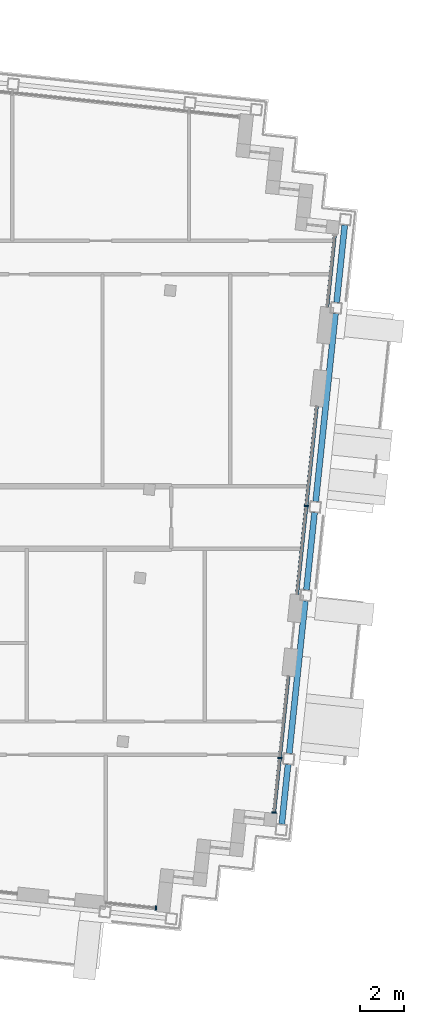
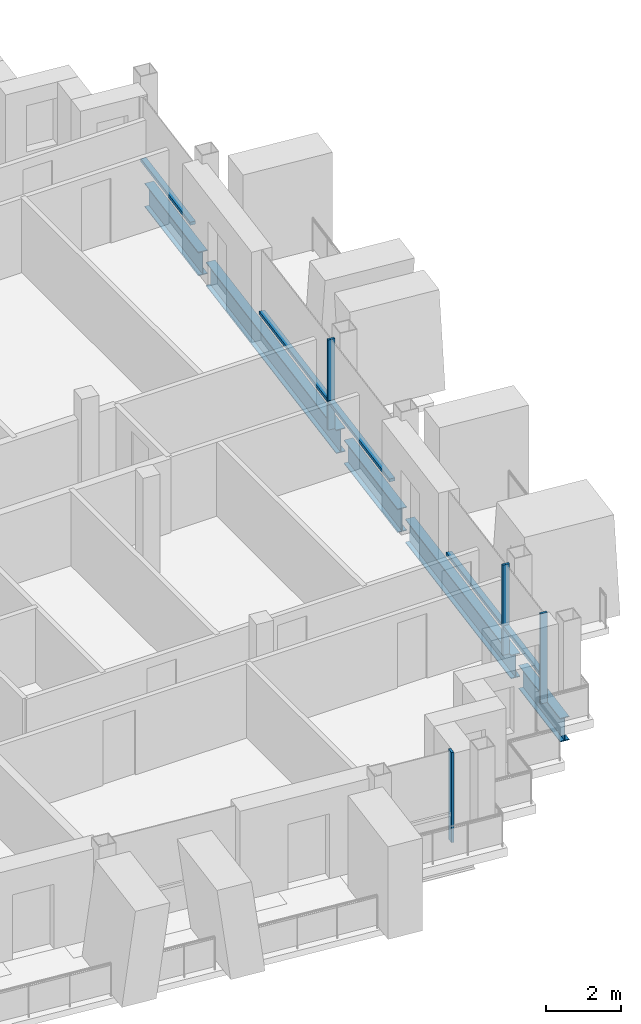
# One storey, part 4 of 16: 9 members, 5 beams, 4 elements without a shape of their own.
"""IFC4 building model written with IfcOpenShell, lengths in metres."""

from ifc_helpers import new_model, si_unit, direction, frame, origin, origin_2d, place, context, subcontext, project, spatial, rectangle, i_section, extrude, material, material_profile, profile_set, type_object, element, aggregate, save


model = new_model("IFC4")

# Units and contexts
model_context = context("Model", 3, precision=1e-05, world=origin(), true_north=direction((0.0, 1.0)))
body_context = subcontext(model_context, "Body", "Model", "MODEL_VIEW")
ifc_project = project(units=[si_unit("LENGTHUNIT", "METRE"), si_unit("AREAUNIT", "SQUARE_METRE"), si_unit("VOLUMEUNIT", "CUBIC_METRE"), si_unit("PLANEANGLEUNIT", "RADIAN"), si_unit("MASSUNIT", "GRAM", prefix="KILO")], contexts=[model_context])

# Site, building, storey
site_placement = place(None, origin())
site = spatial("IfcSite", under=ifc_project, at=site_placement, CompositionType="ELEMENT")
building_placement = place(site_placement, origin())
building = spatial("IfcBuilding", under=site, at=building_placement, Name="Vidyagriha Tower", CompositionType="ELEMENT")
storey_placement = place(building_placement, frame((0.0, 0.0, 256.300048828125)))
storey = spatial("IfcBuildingStorey", under=building, at=storey_placement, Name="L66", CompositionType="ELEMENT", Elevation=256.300048828125)

# Beams
ifc_material_1 = material(Name="Steel ASTM A992 Grade 50", Category="steel")
ifc_material_profile_1 = material_profile(ifc_material_1, i_section(OverallWidth=0.2666015625, OverallDepth=0.76953125, WebThickness=0.015625, FlangeThickness=0.025390625, at=origin_2d()), Name="W30X132")
ifc_profile_set_1 = profile_set([ifc_material_profile_1], Name="Steel ASTM A992 Grade 50")
beam_type = type_object("IfcBeamType", Name="Cantilever edge beam W30X132", PredefinedType="SPANDREL", material=ifc_profile_set_1)
beam_1_placement = place(storey_placement, frame((29.968017578125, -13.79736328125, -0.664794921875), z_axis=(0.104435320588, 0.994531680649, 0.0), x_axis=(-0.994531680649, 0.104435320588, 0.0)))
element("IfcBeam", 1, at=beam_1_placement, inside=storey, type_object=beam_type, Name="st-beam-L66-E13", PredefinedType="SPANDREL", context=body_context, shape_type="SweptSolid", body=[
    extrude(i_section(OverallWidth=0.2666015625, OverallDepth=0.76953125, WebThickness=0.015625, FlangeThickness=0.025390625, at=origin_2d()), origin(), (0.0, 0.0, 1.0), 2.699951171875),
])
beam_2_placement = place(storey_placement, frame((30.30224609375, -10.61474609375, -0.664794921875), z_axis=(0.104557694553, 0.994518822602, 0.0), x_axis=(-0.994518822602, 0.104557694553, 0.0)))
element("IfcBeam", 2, at=beam_2_placement, inside=storey, type_object=beam_type, Name="st-beam-L66-E14", PredefinedType="SPANDREL", context=body_context, shape_type="SweptSolid", body=[
    extrude(i_section(OverallWidth=0.2666015625, OverallDepth=0.76953125, WebThickness=0.015625, FlangeThickness=0.025390625, at=origin_2d()), origin(), (0.0, 0.0, 1.0), 6.89990234375),
])
beam_3_placement = place(storey_placement, frame((31.075927734375, -3.25537109375, -0.664794921875), z_axis=(0.104495960989, 0.994525310958, 0.0), x_axis=(-0.994525310958, 0.104495960989, 0.0)))
element("IfcBeam", 3, at=beam_3_placement, inside=storey, type_object=beam_type, Name="st-beam-L66-E15", PredefinedType="SPANDREL", context=body_context, shape_type="SweptSolid", body=[
    extrude(i_section(OverallWidth=0.2666015625, OverallDepth=0.76953125, WebThickness=0.015625, FlangeThickness=0.025390625, at=origin_2d()), origin(), (0.0, 0.0, 1.0), 3.499755859375),
])
beam_4_placement = place(storey_placement, frame((31.493896484375, 0.72265625, -0.664794921875), z_axis=(0.104550220202, 0.994519608382, 0.0), x_axis=(-0.994519608382, 0.104550220202, 0.0)))
element("IfcBeam", 4, at=beam_4_placement, inside=storey, type_object=beam_type, Name="st-beam-L66-E16", PredefinedType="SPANDREL", context=body_context, shape_type="SweptSolid", body=[
    extrude(i_section(OverallWidth=0.2666015625, OverallDepth=0.76953125, WebThickness=0.015625, FlangeThickness=0.025390625, at=origin_2d()), origin(), (0.0, 0.0, 1.0), 8.5),
])
beam_5_placement = place(storey_placement, frame((32.434814453125, 9.67333984375, -0.664794921875), z_axis=(0.104488712073, 0.994526072584, 0.0), x_axis=(-0.994526072584, 0.104488712073, 0.0)))
element("IfcBeam", 5, at=beam_5_placement, inside=storey, type_object=beam_type, Name="st-beam-L66-E17", PredefinedType="SPANDREL", context=body_context, shape_type="SweptSolid", body=[
    extrude(i_section(OverallWidth=0.2666015625, OverallDepth=0.76953125, WebThickness=0.015625, FlangeThickness=0.025390625, at=origin_2d()), origin(), (0.0, 0.0, 1.0), 3.5),
])

# Curtain wall, member
ifc_material_2 = material(Name="Aluminium and glass curtain wall", Category="aluminium")
curtain_wall_type = type_object("IfcCurtainWallType", Name="Dwelling skin unitised curtain wall", PredefinedType="USERDEFINED", material=ifc_material_2)
curtain_wall_1_placement = place(storey_placement, origin())
curtain_wall_1 = element("IfcCurtainWall", 6, at=curtain_wall_1_placement, inside=storey, type_object=curtain_wall_type, Name="CW1 dwelling skin", ObjectType="UNITISED", PredefinedType="USERDEFINED")
ifc_material_3 = material(Name="Aluminium black anodised", Category="aluminium")
ifc_material_profile_2 = material_profile(ifc_material_3, rectangle(XDim=0.199951171875, YDim=0.070068359375, at=origin_2d()), Name="Mullion 70x200 black aluminium")
ifc_profile_set_2 = profile_set([ifc_material_profile_2], Name="Aluminium black anodised")
member_type_1 = type_object("IfcMemberType", Name="Mullion 70x200 black aluminium", PredefinedType="MULLION", material=ifc_profile_set_2)
member_1_placement = place(storey_placement, frame((24.306884765625, -17.576171875, 0.0), z_axis=(0.0, 0.0, 1.0), x_axis=(0.10452182883, 0.994522592653, 0.0)))
member_1 = element("IfcMember", 7, at=member_1_placement, type_object=member_type_1, Name="CW1 mullion 2", PredefinedType="MULLION", context=body_context, shape_type="SweptSolid", body=[
    extrude(rectangle(XDim=0.199951171875, YDim=0.070068359375, at=origin_2d()), origin(), (0.0, 0.0, 1.0), 2.919921875),
])
aggregate(curtain_wall_1, [member_1])

# Curtain wall, members
curtain_wall_2_placement = place(storey_placement, origin())
curtain_wall_2 = element("IfcCurtainWall", 8, at=curtain_wall_2_placement, inside=storey, type_object=curtain_wall_type, Name="CW1 dwelling skin", ObjectType="UNITISED", PredefinedType="USERDEFINED")
member_2_placement = place(storey_placement, frame((29.620849609375, -13.273193359375, 0.0), z_axis=(0.0, 0.0, 1.0), x_axis=(-0.994521437861, 0.10453281607, 0.0)))
member_2 = element("IfcMember", 9, at=member_2_placement, type_object=member_type_1, Name="CW1 mullion 1", PredefinedType="MULLION", context=body_context, shape_type="SweptSolid", body=[
    extrude(rectangle(XDim=0.199951171875, YDim=0.070068359375, at=origin_2d()), origin(), (0.0, 0.0, 1.0), 2.919921875),
])
member_3_placement = place(storey_placement, frame((29.87841796875, -10.82177734375, 0.0), z_axis=(0.0, 0.0, 1.0), x_axis=(-0.994521437861, 0.10453281607, 0.0)))
member_3 = element("IfcMember", 10, at=member_3_placement, type_object=member_type_1, Name="CW1 mullion 2", PredefinedType="MULLION", context=body_context, shape_type="SweptSolid", body=[
    extrude(rectangle(XDim=0.199951171875, YDim=0.070068359375, at=origin_2d()), origin(), (0.0, 0.0, 1.0), 2.919921875),
])

# Curtain wall, member
curtain_wall_3_placement = place(storey_placement, origin())
curtain_wall_3 = element("IfcCurtainWall", 11, at=curtain_wall_3_placement, inside=storey, type_object=curtain_wall_type, Name="CW1 dwelling skin", ObjectType="UNITISED", PredefinedType="USERDEFINED")
member_4_placement = place(storey_placement, frame((31.070068359375, 0.515869140625, 0.0), z_axis=(0.0, 0.0, 1.0), x_axis=(-0.994521750347, 0.104529843047, 0.0)))
member_4 = element("IfcMember", 12, at=member_4_placement, type_object=member_type_1, Name="CW1 mullion 2", PredefinedType="MULLION", context=body_context, shape_type="SweptSolid", body=[
    extrude(rectangle(XDim=0.199951171875, YDim=0.070068359375, at=origin_2d()), origin(), (0.0, 0.0, 1.0), 2.919921875),
])

# Member
ifc_material_4 = material(Name="Aluminium black anodised", Category="aluminium")
ifc_material_profile_3 = material_profile(ifc_material_4, rectangle(XDim=0.159912109375, YDim=0.10009765625, at=origin_2d()), Name="Transom 100x160 black aluminium")
ifc_profile_set_3 = profile_set([ifc_material_profile_3], Name="Aluminium black anodised")
member_type_2 = type_object("IfcMemberType", Name="Transom 100x160 black aluminium", PredefinedType="USERDEFINED", material=ifc_profile_set_3)
member_5_placement = place(storey_placement, frame((29.62451171875, -13.23828125, 0.89990234375), z_axis=(0.104488443352, 0.994526100817, 0.0), x_axis=(-0.994526100817, 0.104488443352, 0.0)))
member_5 = element("IfcMember", 13, at=member_5_placement, type_object=member_type_2, Name="CW1 transom 1.1", ObjectType="TRANSOM", PredefinedType="USERDEFINED", context=body_context, shape_type="SweptSolid", body=[
    extrude(rectangle(XDim=0.159912109375, YDim=0.10009765625, at=origin_2d()), origin(), (0.0, 0.0, 1.0), 2.39501953125),
])

member_6_placement = place(storey_placement, frame((29.882080078125, -10.786865234375, 0.89990234375), z_axis=(0.104521800028, 0.99452259568, 0.0), x_axis=(-0.99452259568, 0.104521800028, 0.0)))
member_6 = element("IfcMember", 14, at=member_6_placement, type_object=member_type_2, Name="CW1 transom 2.1", ObjectType="TRANSOM", PredefinedType="USERDEFINED", context=body_context, shape_type="SweptSolid", body=[
    extrude(rectangle(XDim=0.159912109375, YDim=0.10009765625, at=origin_2d()), origin(), (0.0, 0.0, 1.0), 3.664794921875),
])

aggregate(curtain_wall_2, [member_2, member_3, member_5, member_6])

member_7_placement = place(storey_placement, frame((30.65185546875, -3.462158203125, 0.89990234375), z_axis=(0.104550167438, 0.994519613929, 0.0), x_axis=(-0.994519613929, 0.104550167438, 0.0)))
member_7 = element("IfcMember", 15, at=member_7_placement, type_object=member_type_2, Name="CW1 transom 1.1", ObjectType="TRANSOM", PredefinedType="USERDEFINED", context=body_context, shape_type="SweptSolid", body=[
    extrude(rectangle(XDim=0.159912109375, YDim=0.10009765625, at=origin_2d()), origin(), (0.0, 0.0, 1.0), 3.965087890625),
])

member_8_placement = place(storey_placement, frame((31.07373046875, 0.55078125, 0.89990234375), z_axis=(0.104494075643, 0.994525509052, 0.0), x_axis=(-0.994525509052, 0.104494075643, 0.0)))
member_8 = element("IfcMember", 16, at=member_8_placement, type_object=member_type_2, Name="CW1 transom 2.1", ObjectType="TRANSOM", PredefinedType="USERDEFINED", context=body_context, shape_type="SweptSolid", body=[
    extrude(rectangle(XDim=0.159912109375, YDim=0.10009765625, at=origin_2d()), origin(), (0.0, 0.0, 1.0), 4.46484375),
])

aggregate(curtain_wall_3, [member_4, member_7, member_8])

# Curtain wall, member
curtain_wall_4_placement = place(storey_placement, origin())
curtain_wall_4 = element("IfcCurtainWall", 17, at=curtain_wall_4_placement, inside=storey, type_object=curtain_wall_type, Name="CW1 dwelling skin", ObjectType="UNITISED", PredefinedType="USERDEFINED")
member_9_placement = place(storey_placement, frame((32.0107421875, 9.466552734375, 0.89990234375), z_axis=(0.104531339354, 0.994521593075, 0.0), x_axis=(-0.994521593075, 0.104531339354, 0.0)))
member_9 = element("IfcMember", 18, at=member_9_placement, type_object=member_type_2, Name="CW1 transom 1.1", ObjectType="TRANSOM", PredefinedType="USERDEFINED", context=body_context, shape_type="SweptSolid", body=[
    extrude(rectangle(XDim=0.159912109375, YDim=0.10009765625, at=origin_2d()), origin(), (0.0, 0.0, 1.0), 3.22998046875),
])
aggregate(curtain_wall_4, [member_9])

save(model, "model.ifc")
